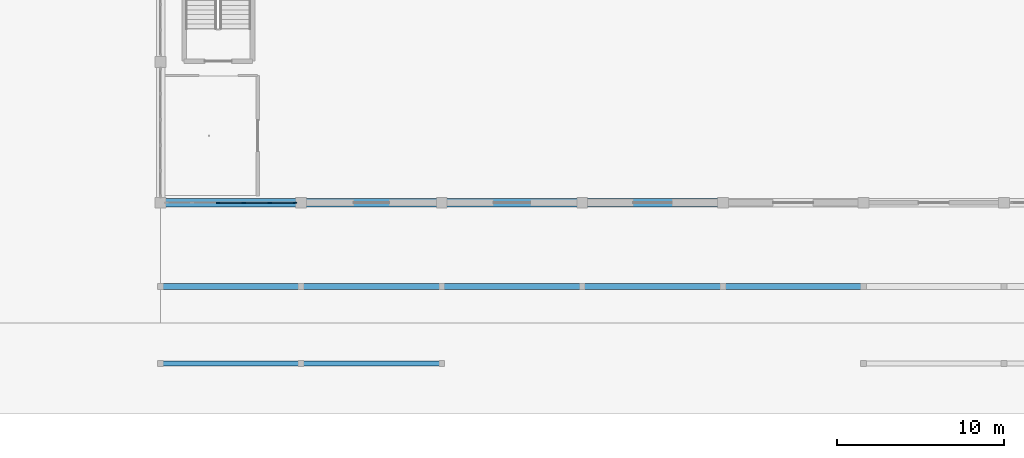
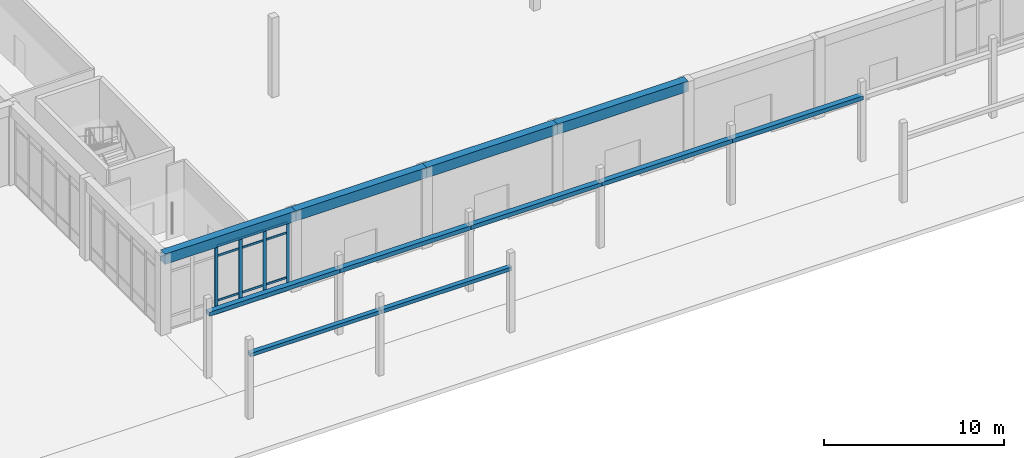
# One storey, part 18 of 167: 16 members, 11 beams, 1 element without a shape of its own.
"""IFC4 building model written with IfcOpenShell, lengths in metres."""

from ifc_helpers import new_model, si_unit, direction, frame, origin, origin_2d, place, context, subcontext, project, spatial, rectangle, extrude, material, material_profile, profile_set, type_object, element, aggregate, save


model = new_model("IFC4")

# Units and contexts
model_context = context("Model", 3, precision=1e-05, world=origin(), true_north=direction((0.0, 1.0)))
body_context = subcontext(model_context, "Body", "Model", "MODEL_VIEW")
ifc_project = project(units=[si_unit("LENGTHUNIT", "METRE"), si_unit("AREAUNIT", "SQUARE_METRE"), si_unit("VOLUMEUNIT", "CUBIC_METRE"), si_unit("PLANEANGLEUNIT", "RADIAN"), si_unit("MASSUNIT", "GRAM", prefix="KILO")], contexts=[model_context])

# Site, building, storey
site_placement = place(None, origin())
site = spatial("IfcSite", under=ifc_project, at=site_placement, CompositionType="ELEMENT")
building_placement = place(site_placement, origin())
building = spatial("IfcBuilding", under=site, at=building_placement, Name="Varncliffe General Hospital", CompositionType="ELEMENT")
storey_placement = place(building_placement, origin())
storey = spatial("IfcBuildingStorey", under=building, at=storey_placement, Name="L00", CompositionType="ELEMENT", Elevation=0.0)

# Curtain wall, members
ifc_material_1 = material(Name="Triple low-E argon insulated vision glazing", Category="glass")
curtain_wall_type = type_object("IfcCurtainWallType", Name="Unitised Glazed Curtain Wall CW66 (7754x4640)", PredefinedType="USERDEFINED", material=ifc_material_1)
curtain_wall_placement = place(storey_placement, origin())
curtain_wall = element("IfcCurtainWall", 1, at=curtain_wall_placement, inside=storey, type_object=curtain_wall_type, Name="L00 Glazed Curtain Wall CW66-9", ObjectType="GLAZED CURTAIN WALL", PredefinedType="USERDEFINED")
ifc_material_2 = material(Name="Dark bronze thermally broken aluminium framing", Category="aluminium")
ifc_material_profile_1 = material_profile(ifc_material_2, rectangle(XDim=0.074951171875, YDim=0.219970703125, at=origin_2d()), Name="ALU 75x220")
ifc_profile_set_1 = profile_set([ifc_material_profile_1], Name="Dark bronze thermally broken aluminium framing")
member_type_1 = type_object("IfcMemberType", Name="Curtain Wall Mullion CM74 (ALU 75x220)", PredefinedType="MULLION", material=ifc_profile_set_1)
member_1_placement = place(storey_placement, frame((66.839599609375, 7.199951171875, 0.0), z_axis=(0.0, 0.0, 1.0), x_axis=(0.0, -1.0, 0.0)))
member_1 = element("IfcMember", 2, at=member_1_placement, type_object=member_type_1, Name="CW66 mullion 1", PredefinedType="MULLION", context=body_context, shape_type="SweptSolid", body=[
    extrude(rectangle(XDim=0.074951171875, YDim=0.219970703125, at=origin_2d()), origin(), (0.0, 0.0, 1.0), 4.639892578125),
])
member_2_placement = place(storey_placement, frame((65.326171875, 7.199951171875, 0.0), z_axis=(0.0, 0.0, 1.0), x_axis=(0.0, -1.0, 0.0)))
member_2 = element("IfcMember", 3, at=member_2_placement, type_object=member_type_1, Name="CW66 mullion 2", PredefinedType="MULLION", context=body_context, shape_type="SweptSolid", body=[
    extrude(rectangle(XDim=0.074951171875, YDim=0.219970703125, at=origin_2d()), origin(), (0.0, 0.0, 1.0), 4.639892578125),
])
member_3_placement = place(storey_placement, frame((63.775390625, 7.199951171875, 0.0), z_axis=(0.0, 0.0, 1.0), x_axis=(0.0, -1.0, 0.0)))
member_3 = element("IfcMember", 4, at=member_3_placement, type_object=member_type_1, Name="CW66 mullion 3", PredefinedType="MULLION", context=body_context, shape_type="SweptSolid", body=[
    extrude(rectangle(XDim=0.074951171875, YDim=0.219970703125, at=origin_2d()), origin(), (0.0, 0.0, 1.0), 4.639892578125),
])
member_4_placement = place(storey_placement, frame((62.224609375, 7.199951171875, 0.0), z_axis=(0.0, 0.0, 1.0), x_axis=(0.0, -1.0, 0.0)))
member_4 = element("IfcMember", 5, at=member_4_placement, type_object=member_type_1, Name="CW66 mullion 4", PredefinedType="MULLION", context=body_context, shape_type="SweptSolid", body=[
    extrude(rectangle(XDim=0.074951171875, YDim=0.219970703125, at=origin_2d()), origin(), (0.0, 0.0, 1.0), 4.639892578125),
])
ifc_material_profile_2 = material_profile(ifc_material_2, rectangle(XDim=0.06494140625, YDim=0.139892578125, at=origin_2d()), Name="ALU 65x140")
ifc_profile_set_2 = profile_set([ifc_material_profile_2], Name="Dark bronze thermally broken aluminium framing")
member_type_2 = type_object("IfcMemberType", Name="Curtain Wall Transom CT69 (ALU 65x140)", PredefinedType="USERDEFINED", material=ifc_profile_set_2)
member_5_placement = place(storey_placement, frame((66.802001953125, 7.199951171875, 0.032470703125), z_axis=(-1.0, 0.0, 0.0), x_axis=(0.0, -1.0, 0.0)))
member_5 = element("IfcMember", 6, at=member_5_placement, type_object=member_type_2, Name="CW66 transom 1.1", ObjectType="TRANSOM", PredefinedType="USERDEFINED", context=body_context, shape_type="SweptSolid", body=[
    extrude(rectangle(XDim=0.06494140625, YDim=0.139892578125, at=origin_2d()), origin(), (0.0, 0.0, 1.0), 1.438232421875),
])
member_6_placement = place(storey_placement, frame((66.802001953125, 7.199951171875, 0.89990234375), z_axis=(-1.0, 0.0, 0.0), x_axis=(0.0, -1.0, 0.0)))
member_6 = element("IfcMember", 7, at=member_6_placement, type_object=member_type_2, Name="CW66 transom 1.2", ObjectType="TRANSOM", PredefinedType="USERDEFINED", context=body_context, shape_type="SweptSolid", body=[
    extrude(rectangle(XDim=0.06494140625, YDim=0.139892578125, at=origin_2d()), origin(), (0.0, 0.0, 1.0), 1.438232421875),
])
member_7_placement = place(storey_placement, frame((66.802001953125, 7.199951171875, 3.93994140625), z_axis=(-1.0, 0.0, 0.0), x_axis=(0.0, -1.0, 0.0)))
member_7 = element("IfcMember", 8, at=member_7_placement, type_object=member_type_2, Name="CW66 transom 1.3", ObjectType="TRANSOM", PredefinedType="USERDEFINED", context=body_context, shape_type="SweptSolid", body=[
    extrude(rectangle(XDim=0.06494140625, YDim=0.139892578125, at=origin_2d()), origin(), (0.0, 0.0, 1.0), 1.438232421875),
])
member_8_placement = place(storey_placement, frame((66.802001953125, 7.199951171875, 4.607421875), z_axis=(-1.0, 0.0, 0.0), x_axis=(0.0, -1.0, 0.0)))
member_8 = element("IfcMember", 9, at=member_8_placement, type_object=member_type_2, Name="CW66 transom 1.4", ObjectType="TRANSOM", PredefinedType="USERDEFINED", context=body_context, shape_type="SweptSolid", body=[
    extrude(rectangle(XDim=0.06494140625, YDim=0.139892578125, at=origin_2d()), origin(), (0.0, 0.0, 1.0), 1.438232421875),
])
member_9_placement = place(storey_placement, frame((65.288818359375, 7.199951171875, 0.032470703125), z_axis=(-1.0, 0.0, 0.0), x_axis=(0.0, -1.0, 0.0)))
member_9 = element("IfcMember", 10, at=member_9_placement, type_object=member_type_2, Name="CW66 transom 2.1", ObjectType="TRANSOM", PredefinedType="USERDEFINED", context=body_context, shape_type="SweptSolid", body=[
    extrude(rectangle(XDim=0.06494140625, YDim=0.139892578125, at=origin_2d()), origin(), (0.0, 0.0, 1.0), 1.475830078125),
])
member_10_placement = place(storey_placement, frame((65.288818359375, 7.199951171875, 0.89990234375), z_axis=(-1.0, 0.0, 0.0), x_axis=(0.0, -1.0, 0.0)))
member_10 = element("IfcMember", 11, at=member_10_placement, type_object=member_type_2, Name="CW66 transom 2.2", ObjectType="TRANSOM", PredefinedType="USERDEFINED", context=body_context, shape_type="SweptSolid", body=[
    extrude(rectangle(XDim=0.06494140625, YDim=0.139892578125, at=origin_2d()), origin(), (0.0, 0.0, 1.0), 1.475830078125),
])
member_11_placement = place(storey_placement, frame((65.288818359375, 7.199951171875, 3.93994140625), z_axis=(-1.0, 0.0, 0.0), x_axis=(0.0, -1.0, 0.0)))
member_11 = element("IfcMember", 12, at=member_11_placement, type_object=member_type_2, Name="CW66 transom 2.3", ObjectType="TRANSOM", PredefinedType="USERDEFINED", context=body_context, shape_type="SweptSolid", body=[
    extrude(rectangle(XDim=0.06494140625, YDim=0.139892578125, at=origin_2d()), origin(), (0.0, 0.0, 1.0), 1.475830078125),
])
member_12_placement = place(storey_placement, frame((65.288818359375, 7.199951171875, 4.607421875), z_axis=(-1.0, 0.0, 0.0), x_axis=(0.0, -1.0, 0.0)))
member_12 = element("IfcMember", 13, at=member_12_placement, type_object=member_type_2, Name="CW66 transom 2.4", ObjectType="TRANSOM", PredefinedType="USERDEFINED", context=body_context, shape_type="SweptSolid", body=[
    extrude(rectangle(XDim=0.06494140625, YDim=0.139892578125, at=origin_2d()), origin(), (0.0, 0.0, 1.0), 1.475830078125),
])
member_13_placement = place(storey_placement, frame((63.73779296875, 7.199951171875, 0.032470703125), z_axis=(-1.0, 0.0, 0.0), x_axis=(0.0, -1.0, 0.0)))
member_13 = element("IfcMember", 14, at=member_13_placement, type_object=member_type_2, Name="CW66 transom 3.1", ObjectType="TRANSOM", PredefinedType="USERDEFINED", context=body_context, shape_type="SweptSolid", body=[
    extrude(rectangle(XDim=0.06494140625, YDim=0.139892578125, at=origin_2d()), origin(), (0.0, 0.0, 1.0), 1.4755859375),
])
member_14_placement = place(storey_placement, frame((63.73779296875, 7.199951171875, 0.89990234375), z_axis=(-1.0, 0.0, 0.0), x_axis=(0.0, -1.0, 0.0)))
member_14 = element("IfcMember", 15, at=member_14_placement, type_object=member_type_2, Name="CW66 transom 3.2", ObjectType="TRANSOM", PredefinedType="USERDEFINED", context=body_context, shape_type="SweptSolid", body=[
    extrude(rectangle(XDim=0.06494140625, YDim=0.139892578125, at=origin_2d()), origin(), (0.0, 0.0, 1.0), 1.4755859375),
])
member_15_placement = place(storey_placement, frame((63.73779296875, 7.199951171875, 3.93994140625), z_axis=(-1.0, 0.0, 0.0), x_axis=(0.0, -1.0, 0.0)))
member_15 = element("IfcMember", 16, at=member_15_placement, type_object=member_type_2, Name="CW66 transom 3.3", ObjectType="TRANSOM", PredefinedType="USERDEFINED", context=body_context, shape_type="SweptSolid", body=[
    extrude(rectangle(XDim=0.06494140625, YDim=0.139892578125, at=origin_2d()), origin(), (0.0, 0.0, 1.0), 1.4755859375),
])
member_16_placement = place(storey_placement, frame((63.73779296875, 7.199951171875, 4.607421875), z_axis=(-1.0, 0.0, 0.0), x_axis=(0.0, -1.0, 0.0)))
member_16 = element("IfcMember", 17, at=member_16_placement, type_object=member_type_2, Name="CW66 transom 3.4", ObjectType="TRANSOM", PredefinedType="USERDEFINED", context=body_context, shape_type="SweptSolid", body=[
    extrude(rectangle(XDim=0.06494140625, YDim=0.139892578125, at=origin_2d()), origin(), (0.0, 0.0, 1.0), 1.4755859375),
])
aggregate(curtain_wall, [member_1, member_2, member_3, member_4, member_5, member_6, member_7, member_8, member_9, member_10, member_11, member_12, member_13, member_14, member_15, member_16])

# Beams
ifc_material_3 = material(Name="Precast concrete C40/50", Category="concrete")
ifc_material_profile_3 = material_profile(ifc_material_3, rectangle(XDim=0.35009765625, YDim=0.280029296875, at=origin_2d()), Name="RC 350x280")
ifc_profile_set_3 = profile_set([ifc_material_profile_3], Name="Precast concrete C40/50")
beam_type_1 = type_object("IfcBeamType", Name="Lintel LN26 (Ext RC 350x280)", PredefinedType="LINTEL", material=ifc_profile_set_3)
beam_1_placement = place(storey_placement, frame((58.800048828125, 2.199951171875, 4.300048828125), z_axis=(1.0, 0.0, 0.0), x_axis=(0.0, 1.0, 0.0)))
element("IfcBeam", 18, at=beam_1_placement, inside=storey, type_object=beam_type_1, Name="L00 Colonnade Architrave Lintel 1", PredefinedType="LINTEL", context=body_context, shape_type="SweptSolid", body=[
    extrude(rectangle(XDim=0.35009765625, YDim=0.280029296875, at=origin_2d()), origin(), (0.0, 0.0, 1.0), 8.39990234375),
])
beam_2_placement = place(storey_placement, frame((67.199951171875, 2.199951171875, 4.300048828125), z_axis=(1.0, 0.0, 0.0), x_axis=(0.0, 1.0, 0.0)))
element("IfcBeam", 19, at=beam_2_placement, inside=storey, type_object=beam_type_1, Name="L00 Colonnade Architrave Lintel 2", PredefinedType="LINTEL", context=body_context, shape_type="SweptSolid", body=[
    extrude(rectangle(XDim=0.35009765625, YDim=0.280029296875, at=origin_2d()), origin(), (0.0, 0.0, 1.0), 8.400146484375),
])
for number, where, z_axis, x_axis, name in (
    (20, (75.60009765625, 2.199951171875, 4.300048828125), (1.0, 0.0, 0.0), (0.0, 1.0, 0.0), "L00 Colonnade Architrave Lintel 3"),
    (21, (84.0, 2.199951171875, 4.300048828125), (1.0, 0.0, 0.0), (0.0, 1.0, 0.0), "L00 Colonnade Architrave Lintel 4"),
):
    element("IfcBeam", number, at=place(storey_placement, frame(where, z_axis=z_axis, x_axis=x_axis)), inside=storey, type_object=beam_type_1, Name=name, PredefinedType="LINTEL", context=body_context, shape_type="SweptSolid", body=[
        extrude(rectangle(XDim=0.35009765625, YDim=0.280029296875, at=origin_2d()), origin(), (0.0, 0.0, 1.0), 8.39990234375),
    ])
beam_3_placement = place(storey_placement, frame((92.39990234375, 2.199951171875, 4.300048828125), z_axis=(1.0, 0.0, 0.0), x_axis=(0.0, 1.0, 0.0)))
element("IfcBeam", 22, at=beam_3_placement, inside=storey, type_object=beam_type_1, Name="L00 Colonnade Architrave Lintel 5", PredefinedType="LINTEL", context=body_context, shape_type="SweptSolid", body=[
    extrude(rectangle(XDim=0.35009765625, YDim=0.280029296875, at=origin_2d()), origin(), (0.0, 0.0, 1.0), 8.400146484375),
])
ifc_material_profile_4 = material_profile(ifc_material_3, rectangle(XDim=0.300048828125, YDim=0.239990234375, at=origin_2d()), Name="RC 300x240")
ifc_profile_set_4 = profile_set([ifc_material_profile_4], Name="Precast concrete C40/50")
beam_type_2 = type_object("IfcBeamType", Name="Lintel LN28 (Ext RC 300x240)", PredefinedType="LINTEL", material=ifc_profile_set_4)
beam_4_placement = place(storey_placement, frame((58.800048828125, -2.39990234375, 4.300048828125), z_axis=(1.0, 0.0, 0.0), x_axis=(0.0, 1.0, 0.0)))
element("IfcBeam", 23, at=beam_4_placement, inside=storey, type_object=beam_type_2, Name="L00 Outer Portico Architrave Lintel 1", PredefinedType="LINTEL", context=body_context, shape_type="SweptSolid", body=[
    extrude(rectangle(XDim=0.300048828125, YDim=0.239990234375, at=origin_2d()), origin(), (0.0, 0.0, 1.0), 8.39990234375),
])
beam_5_placement = place(storey_placement, frame((67.199951171875, -2.39990234375, 4.300048828125), z_axis=(1.0, 0.0, 0.0), x_axis=(0.0, 1.0, 0.0)))
element("IfcBeam", 24, at=beam_5_placement, inside=storey, type_object=beam_type_2, Name="L00 Outer Portico Architrave Lintel 2", PredefinedType="LINTEL", context=body_context, shape_type="SweptSolid", body=[
    extrude(rectangle(XDim=0.300048828125, YDim=0.239990234375, at=origin_2d()), origin(), (0.0, 0.0, 1.0), 8.400146484375),
])
ifc_material_4 = material(Name="Concrete C35/45 (CSA A23.1 35 MPa)", Category="concrete")
ifc_material_profile_5 = material_profile(ifc_material_4, rectangle(XDim=0.5, YDim=0.699951171875, at=origin_2d()), Name="RC 500x700")
ifc_profile_set_5 = profile_set([ifc_material_profile_5], Name="Concrete C35/45 (CSA A23.1 35 MPa)")
beam_type_3 = type_object("IfcBeamType", Name="Spandrel SP19 (Ext RC 500x700)", PredefinedType="SPANDREL", material=ifc_profile_set_5)
beam_6_placement = place(storey_placement, frame((58.800048828125, 7.199951171875, 5.050048828125), z_axis=(1.0, 0.0, 0.0), x_axis=(0.0, 1.0, 0.0)))
element("IfcBeam", 25, at=beam_6_placement, inside=storey, type_object=beam_type_3, Name="L00 Spandrel Beam SP19-10", PredefinedType="SPANDREL", context=body_context, shape_type="SweptSolid", body=[
    extrude(rectangle(XDim=0.5, YDim=0.699951171875, at=origin_2d()), origin(), (0.0, 0.0, 1.0), 8.39990234375),
])
beam_7_placement = place(storey_placement, frame((67.199951171875, 7.199951171875, 5.050048828125), z_axis=(1.0, 0.0, 0.0), x_axis=(0.0, 1.0, 0.0)))
element("IfcBeam", 26, at=beam_7_placement, inside=storey, type_object=beam_type_3, Name="L00 Spandrel Beam SP19-11", PredefinedType="SPANDREL", context=body_context, shape_type="SweptSolid", body=[
    extrude(rectangle(XDim=0.5, YDim=0.699951171875, at=origin_2d()), origin(), (0.0, 0.0, 1.0), 8.400146484375),
])
for number, where, z_axis, x_axis, name in (
    (27, (75.60009765625, 7.199951171875, 5.050048828125), (1.0, 0.0, 0.0), (0.0, 1.0, 0.0), "L00 Spandrel Beam SP19-12"),
    (28, (84.0, 7.199951171875, 5.050048828125), (1.0, 0.0, 0.0), (0.0, 1.0, 0.0), "L00 Spandrel Beam SP19-13"),
):
    element("IfcBeam", number, at=place(storey_placement, frame(where, z_axis=z_axis, x_axis=x_axis)), inside=storey, type_object=beam_type_3, Name=name, PredefinedType="SPANDREL", context=body_context, shape_type="SweptSolid", body=[
        extrude(rectangle(XDim=0.5, YDim=0.699951171875, at=origin_2d()), origin(), (0.0, 0.0, 1.0), 8.39990234375),
    ])

save(model, "model.ifc")
